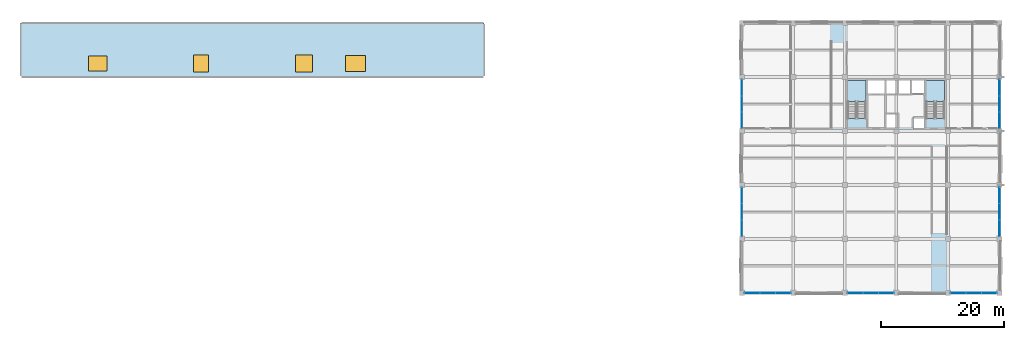
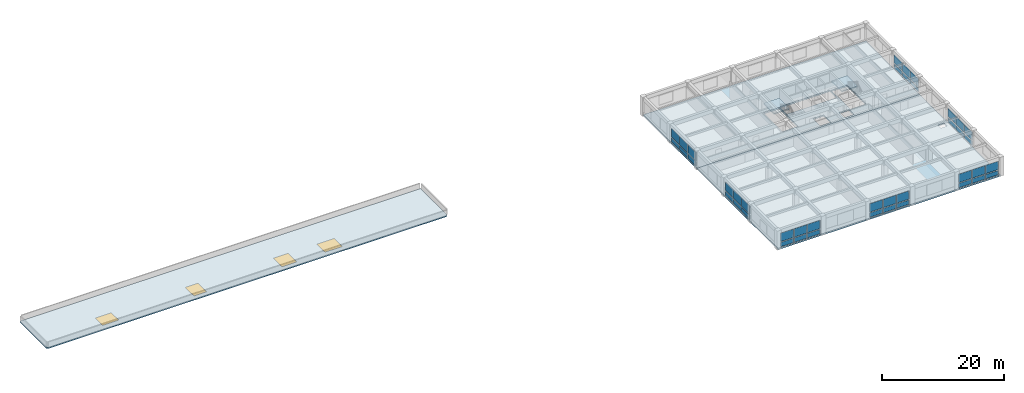
# One storey, part 7 of 16: 42 plates, 5 slabs, 4 windows, 4 openings, 9 elements without a shape of their own.
"""IFC4 building model written with IfcOpenShell, lengths in metres."""

import ifcopenshell
import ifcopenshell.guid

model = None  # the IFC model being written
_history = None  # IfcOwnerHistory: only IFC2X3 demands one
_inside = {}  # id of a spatial element -> (the spatial element, [elements in it])
_under = {}  # id of a project, library or spatial element -> (it, [spatial elements below it])
_declared = {}  # id of a project -> (the project, [libraries it declares])
_typed = {}  # id of a type object -> (the type object, [elements of that type])
_made_of = {}  # id of a material, layer set ... -> (it, [elements and type objects made of it])


def new_model(schema):
    """Start an empty IFC model of exactly this schema.

    Asked for "IFC4X3", IfcOpenShell would pick the latest addendum, in which some entities
    have other attributes; the version numbers below select the first issue.
    IFC2X3 requires an IfcOwnerHistory on every rooted entity: one is made here for all.
    """
    global model, _history
    if schema == "IFC4X3":
        model = ifcopenshell.file(schema_version=(4, 3, 0, 0))
    else:
        model = ifcopenshell.file(schema=schema)
    _inside.clear()
    _under.clear()
    _declared.clear()
    _typed.clear()
    _made_of.clear()
    _history = None
    if model.schema == "IFC2X3":
        org = make("IfcOrganization", Name="unknown")
        user = make(
            "IfcPersonAndOrganization",
            ThePerson=make("IfcPerson", FamilyName="unknown"),
            TheOrganization=org,
        )
        app = make(
            "IfcApplication",
            ApplicationDeveloper=org,
            Version="unknown",
            ApplicationFullName="unknown",
            ApplicationIdentifier="unknown",
        )
        _history = make(
            "IfcOwnerHistory",
            OwningUser=user,
            OwningApplication=app,
            ChangeAction="ADDED",
            CreationDate=0,
        )
    return model


def make(cls, **values):
    """One entity of the class cls with the attributes given. An attribute that is None is left unset."""
    return model.create_entity(
        cls, **{name: value for name, value in values.items() if value is not None}
    )


def rooted(cls, **values):
    """An entity with a GlobalId (a new one), such as an element, a storey or a relation."""
    return make(cls, GlobalId=ifcopenshell.guid.new(), OwnerHistory=_history, **values)


def si_unit(unit_type, name, prefix=None):
    """IfcSIUnit, for example si_unit("LENGTHUNIT", "METRE", prefix="MILLI")."""
    return make("IfcSIUnit", UnitType=unit_type, Prefix=prefix, Name=name)


def assignment(units):
    """IfcUnitAssignment: the units of a project."""
    return None if units is None else make("IfcUnitAssignment", Units=units)


def point(xyz):
    """IfcCartesianPoint."""
    return None if xyz is None else make("IfcCartesianPoint", Coordinates=xyz)


def direction(xyz):
    """IfcDirection."""
    return None if xyz is None else make("IfcDirection", DirectionRatios=xyz)


def frame(location, z_axis=None, x_axis=None):
    """IfcAxis2Placement3D, a coordinate frame: its origin and axes. An axis left out is left unset."""
    return make(
        "IfcAxis2Placement3D",
        Location=point(location),
        Axis=direction(z_axis),
        RefDirection=direction(x_axis),
    )


def frame_2d(location, x_axis=None):
    """IfcAxis2Placement2D, a coordinate frame in the plane: its origin and x axis."""
    return make(
        "IfcAxis2Placement2D", Location=point(location), RefDirection=direction(x_axis)
    )


def origin():
    """The frame at (0, 0, 0) with its axes left unset."""
    return frame((0.0, 0.0, 0.0))


def origin_2d():
    """The frame at (0, 0) in the plane with its x axis left unset."""
    return frame_2d((0.0, 0.0))


def place(relative_to, where):
    """IfcLocalPlacement: puts the frame where relative to a parent placement (None: the world)."""
    return make(
        "IfcLocalPlacement", PlacementRelTo=relative_to, RelativePlacement=where
    )


def context(
    kind, dimensions, precision=None, world=None, true_north=None, identifier=None
):
    """IfcGeometricRepresentationContext, for example the 3D "Model" context."""
    return make(
        "IfcGeometricRepresentationContext",
        ContextIdentifier=identifier,
        ContextType=kind,
        CoordinateSpaceDimension=dimensions,
        Precision=precision,
        WorldCoordinateSystem=world,
        TrueNorth=true_north,
    )


def subcontext(parent, identifier, kind, view, scale=None):
    """IfcGeometricRepresentationSubContext, for example "Body" below "Model"."""
    return make(
        "IfcGeometricRepresentationSubContext",
        ContextIdentifier=identifier,
        ContextType=kind,
        ParentContext=parent,
        TargetScale=scale,
        TargetView=view,
    )


def project(units=None, contexts=None):
    """IfcProject with its units and contexts."""
    return rooted(
        "IfcProject",
        Name="project",
        RepresentationContexts=contexts,
        UnitsInContext=assignment(units),
    )


def spatial(cls, under=None, at=None, **own):
    """A site, building, storey or space (cls), placed at a placement, below another one or the project."""
    s = rooted(cls, ObjectPlacement=at, **own)
    if under is not None:
        _under.setdefault(under.id(), (under, []))[1].append(s)
    return s


def polyline(points):
    """IfcPolyline through the points."""
    return make("IfcPolyline", Points=[point(p) for p in points])


def profile(cls, at=None, kind="AREA", **sizes):
    """A parametric profile (cls). Its sizes go by their IFC names, for example OverallWidth=200.0."""
    return make(cls, ProfileType=kind, Position=at, **sizes)


def rectangle(**sizes):
    """IfcRectangleProfileDef."""
    return profile("IfcRectangleProfileDef", **sizes)


def outline(outer, holes=None, kind="AREA"):
    """IfcArbitraryClosedProfileDef: a profile drawn as a closed curve; with holes, ...WithVoids."""
    if holes is None:
        return make("IfcArbitraryClosedProfileDef", ProfileType=kind, OuterCurve=outer)
    return make(
        "IfcArbitraryProfileDefWithVoids",
        ProfileType=kind,
        OuterCurve=outer,
        InnerCurves=holes,
    )


def extrude(swept, where, along, depth):
    """IfcExtrudedAreaSolid: the profile swept, set in the frame where, extruded along a direction by depth."""
    return make(
        "IfcExtrudedAreaSolid",
        SweptArea=swept,
        Position=where,
        ExtrudedDirection=direction(along),
        Depth=depth,
    )


def shape(context_of_items, identifier, shape_type, items):
    """IfcShapeRepresentation: the items that make up one representation, for example the "Body"."""
    return make(
        "IfcShapeRepresentation",
        ContextOfItems=context_of_items,
        RepresentationIdentifier=identifier,
        RepresentationType=shape_type,
        Items=items,
    )


def material(Name=None, Category=None):
    """IfcMaterial."""
    return make("IfcMaterial", Name=Name, Category=Category)


def layer(
    of_material, thickness, ventilated=None, Name=None, Category=None, Priority=None
):
    """IfcMaterialLayer: one layer of a wall or slab, of a material (None: an air gap)."""
    return make(
        "IfcMaterialLayer",
        Material=of_material,
        LayerThickness=thickness,
        IsVentilated=ventilated,
        Name=Name,
        Category=Category,
        Priority=Priority,
    )


def layer_set(layers, Name=None):
    """IfcMaterialLayerSet."""
    return make("IfcMaterialLayerSet", MaterialLayers=layers, LayerSetName=Name)


def made_of(thing, what):
    """Note that an element or type object is made of a material, layer set ...; save() writes the relation."""
    if what is not None:
        _made_of.setdefault(what.id(), (what, []))[1].append(thing)
    return thing


def type_object(cls, material=None, **own):
    """A type object (cls), such as IfcWallType, which elements share."""
    return made_of(rooted(cls, **own), material)


def element(
    cls,
    number,
    at=None,
    inside=None,
    cuts=None,
    type_object=None,
    material=None,
    context=None,
    identifier="Body",
    shape_type=None,
    held_by="IfcProductDefinitionShape",
    body=None,
    shapes=None,
    **own,
):
    """One element of the class cls, such as IfcWall. Its Tag is "e" and its number.

    at: its placement. inside: the storey or other place that contains it. cuts: it is an
    opening in that element (IfcRelVoidsElement). A single representation is given by context,
    identifier, shape_type and body (its items); several are given by shapes. held_by: the class
    of the entity that holds the representations. save() writes the other relations.
    """
    e = rooted(cls, Tag="e%d" % number, ObjectPlacement=at, **own)
    if body is not None:
        shapes = [shape(context, identifier, shape_type, body)]
    if shapes is not None:
        e.Representation = make(held_by, Representations=shapes)
    if inside is not None:
        _inside.setdefault(inside.id(), (inside, []))[1].append(e)
    if cuts is not None:
        rooted(
            "IfcRelVoidsElement", RelatingBuildingElement=cuts, RelatedOpeningElement=e
        )
    if type_object is not None:
        _typed.setdefault(type_object.id(), (type_object, []))[1].append(e)
    return made_of(e, material)


def fill(opening, filler):
    """IfcRelFillsElement: the door or window that sits in an opening."""
    return rooted(
        "IfcRelFillsElement",
        RelatingOpeningElement=opening,
        RelatedBuildingElement=filler,
    )


def aggregate(whole, parts):
    """IfcRelAggregates: a whole, such as a stair, and the parts it consists of."""
    return rooted("IfcRelAggregates", RelatingObject=whole, RelatedObjects=parts)


def save(model, path):
    """Write the relations noted so far, then the file.

    IfcRelAggregates (storeys below a building ...), IfcRelContainedInSpatialStructure (elements
    in a storey), IfcRelDefinesByType, IfcRelAssociatesMaterial and IfcRelDeclares: one each for
    every whole, place, type object, material and project.
    """
    for whole, parts in _under.values():
        aggregate(whole, parts)
    for where, things in _inside.values():
        rooted(
            "IfcRelContainedInSpatialStructure",
            RelatedElements=things,
            RelatingStructure=where,
        )
    for kind, things in _typed.values():
        rooted("IfcRelDefinesByType", RelatedObjects=things, RelatingType=kind)
    for what, things in _made_of.values():
        rooted("IfcRelAssociatesMaterial", RelatedObjects=things, RelatingMaterial=what)
    for by, libraries in _declared.values():
        rooted("IfcRelDeclares", RelatingContext=by, RelatedDefinitions=libraries)
    model.write(path)


model = new_model("IFC4")

# Units and contexts
model_context = context("Model", 3, precision=1e-05, world=origin(), true_north=direction((0.0, 1.0)))
body_context = subcontext(model_context, "Body", "Model", "MODEL_VIEW")
ifc_project = project(units=[si_unit("LENGTHUNIT", "METRE"), si_unit("AREAUNIT", "SQUARE_METRE"), si_unit("VOLUMEUNIT", "CUBIC_METRE"), si_unit("PLANEANGLEUNIT", "RADIAN"), si_unit("MASSUNIT", "GRAM", prefix="KILO")], contexts=[model_context])

# Site, building, storey
site_placement = place(None, origin())
site = spatial("IfcSite", under=ifc_project, at=site_placement, CompositionType="ELEMENT")
building_placement = place(site_placement, origin())
building = spatial("IfcBuilding", under=site, at=building_placement, Name="Kemercrest Conservatory and Botanical Centre", CompositionType="ELEMENT")
storey_placement = place(building_placement, frame((0.0, 0.0, 17.199951171875)))
storey = spatial("IfcBuildingStorey", under=building, at=storey_placement, Name="L04", CompositionType="ELEMENT", Elevation=17.199951171875)

# Curtain wall, plates
ifc_material_1 = material(Name="Thermally broken aluminium and triple low-e glazing", Category="aluminium")
curtain_wall_type_1 = type_object("IfcCurtainWallType", Name="CW-09", PredefinedType="USERDEFINED", material=ifc_material_1)
curtain_wall_1_placement = place(storey_placement, origin())
curtain_wall_1 = element("IfcCurtainWall", 1, at=curtain_wall_1_placement, inside=storey, type_object=curtain_wall_type_1, Name="Unitised curtain wall CW-09 (CW:L04:V4-068)", ObjectType="UNITISED CURTAIN WALL", PredefinedType="USERDEFINED")
ifc_material_2 = material(Name="Triple low-e argon insulated glazing unit", Category="glass")
ifc_layer_1 = layer(ifc_material_2, 0.035888671875)
ifc_layer_set_1 = layer_set([ifc_layer_1], Name="Triple low-e argon insulated glazing unit")
plate_type = type_object("IfcPlateType", Name="CW-PNL036", PredefinedType="CURTAIN_PANEL", material=ifc_layer_set_1)
plate_1_placement = place(storey_placement, frame((135.6796875, 78.39990234375, 0.179931640625), z_axis=(0.0, 0.0, 1.0), x_axis=(1.0, 0.0, 0.0)))
plate_1 = element("IfcPlate", 2, at=plate_1_placement, type_object=plate_type, Name="CW-09 panel 1.1", PredefinedType="CURTAIN_PANEL", context=body_context, shape_type="SweptSolid", body=[
    extrude(rectangle(XDim=2.439208984375, YDim=0.035888671875, at=origin_2d()), origin(), (0.0, 0.0, 1.0), 0.85009765625),
])
plate_2_placement = place(storey_placement, frame((135.6796875, 78.39990234375, 1.2099609375), z_axis=(0.0, 0.0, 1.0), x_axis=(1.0, 0.0, 0.0)))
plate_2 = element("IfcPlate", 3, at=plate_2_placement, type_object=plate_type, Name="CW-09 panel 1.2", PredefinedType="CURTAIN_PANEL", context=body_context, shape_type="SweptSolid", body=[
    extrude(rectangle(XDim=2.439208984375, YDim=0.035888671875, at=origin_2d()), origin(), (0.0, 0.0, 1.0), 1.6650390625),
])
plate_3_placement = place(storey_placement, frame((138.199951171875, 78.39990234375, 0.179931640625), z_axis=(0.0, 0.0, 1.0), x_axis=(1.0, 0.0, 0.0)))
plate_3 = element("IfcPlate", 4, at=plate_3_placement, type_object=plate_type, Name="CW-09 panel 2.1", PredefinedType="CURTAIN_PANEL", context=body_context, shape_type="SweptSolid", body=[
    extrude(rectangle(XDim=2.4716796875, YDim=0.035888671875, at=origin_2d()), origin(), (0.0, 0.0, 1.0), 0.85009765625),
])
plate_4_placement = place(storey_placement, frame((138.199951171875, 78.39990234375, 1.2099609375), z_axis=(0.0, 0.0, 1.0), x_axis=(1.0, 0.0, 0.0)))
plate_4 = element("IfcPlate", 5, at=plate_4_placement, type_object=plate_type, Name="CW-09 panel 2.2", PredefinedType="CURTAIN_PANEL", context=body_context, shape_type="SweptSolid", body=[
    extrude(rectangle(XDim=2.4716796875, YDim=0.035888671875, at=origin_2d()), origin(), (0.0, 0.0, 1.0), 1.6650390625),
])
plate_5_placement = place(storey_placement, frame((140.720458984375, 78.39990234375, 0.179931640625), z_axis=(0.0, 0.0, 1.0), x_axis=(1.0, 0.0, 0.0)))
plate_5 = element("IfcPlate", 6, at=plate_5_placement, type_object=plate_type, Name="CW-09 panel 3.1", PredefinedType="CURTAIN_PANEL", context=body_context, shape_type="SweptSolid", body=[
    extrude(rectangle(XDim=2.439208984375, YDim=0.035888671875, at=origin_2d()), origin(), (0.0, 0.0, 1.0), 0.85009765625),
])
plate_6_placement = place(storey_placement, frame((140.720458984375, 78.39990234375, 1.2099609375), z_axis=(0.0, 0.0, 1.0), x_axis=(1.0, 0.0, 0.0)))
plate_6 = element("IfcPlate", 7, at=plate_6_placement, type_object=plate_type, Name="CW-09 panel 3.2", PredefinedType="CURTAIN_PANEL", context=body_context, shape_type="SweptSolid", body=[
    extrude(rectangle(XDim=2.439208984375, YDim=0.035888671875, at=origin_2d()), origin(), (0.0, 0.0, 1.0), 1.6650390625),
])
aggregate(curtain_wall_1, [plate_1, plate_2, plate_3, plate_4, plate_5, plate_6])

curtain_wall_type_2 = type_object("IfcCurtainWallType", Name="CW-10", PredefinedType="USERDEFINED", material=ifc_material_1)
curtain_wall_2_placement = place(storey_placement, origin())
curtain_wall_2 = element("IfcCurtainWall", 8, at=curtain_wall_2_placement, inside=storey, type_object=curtain_wall_type_2, Name="Unitised curtain wall CW-10 (CW:L04:V4-069)", ObjectType="UNITISED CURTAIN WALL", PredefinedType="USERDEFINED")
plate_7_placement = place(storey_placement, frame((152.4794921875, 78.39990234375, 0.179931640625), z_axis=(0.0, 0.0, 1.0), x_axis=(1.0, 0.0, 0.0)))
plate_7 = element("IfcPlate", 9, at=plate_7_placement, type_object=plate_type, Name="CW-10 panel 1.1", PredefinedType="CURTAIN_PANEL", context=body_context, shape_type="SweptSolid", body=[
    extrude(rectangle(XDim=2.439208984375, YDim=0.035888671875, at=origin_2d()), origin(), (0.0, 0.0, 1.0), 0.85009765625),
])
plate_8_placement = place(storey_placement, frame((152.4794921875, 78.39990234375, 1.2099609375), z_axis=(0.0, 0.0, 1.0), x_axis=(1.0, 0.0, 0.0)))
plate_8 = element("IfcPlate", 10, at=plate_8_placement, type_object=plate_type, Name="CW-10 panel 1.2", PredefinedType="CURTAIN_PANEL", context=body_context, shape_type="SweptSolid", body=[
    extrude(rectangle(XDim=2.439208984375, YDim=0.035888671875, at=origin_2d()), origin(), (0.0, 0.0, 1.0), 1.6650390625),
])
plate_9_placement = place(storey_placement, frame((155.0, 78.39990234375, 0.179931640625), z_axis=(0.0, 0.0, 1.0), x_axis=(1.0, 0.0, 0.0)))
plate_9 = element("IfcPlate", 11, at=plate_9_placement, type_object=plate_type, Name="CW-10 panel 2.1", PredefinedType="CURTAIN_PANEL", context=body_context, shape_type="SweptSolid", body=[
    extrude(rectangle(XDim=2.4716796875, YDim=0.035888671875, at=origin_2d()), origin(), (0.0, 0.0, 1.0), 0.85009765625),
])
plate_10_placement = place(storey_placement, frame((155.0, 78.39990234375, 1.2099609375), z_axis=(0.0, 0.0, 1.0), x_axis=(1.0, 0.0, 0.0)))
plate_10 = element("IfcPlate", 12, at=plate_10_placement, type_object=plate_type, Name="CW-10 panel 2.2", PredefinedType="CURTAIN_PANEL", context=body_context, shape_type="SweptSolid", body=[
    extrude(rectangle(XDim=2.4716796875, YDim=0.035888671875, at=origin_2d()), origin(), (0.0, 0.0, 1.0), 1.6650390625),
])
plate_11_placement = place(storey_placement, frame((157.5205078125, 78.39990234375, 0.179931640625), z_axis=(0.0, 0.0, 1.0), x_axis=(1.0, 0.0, 0.0)))
plate_11 = element("IfcPlate", 13, at=plate_11_placement, type_object=plate_type, Name="CW-10 panel 3.1", PredefinedType="CURTAIN_PANEL", context=body_context, shape_type="SweptSolid", body=[
    extrude(rectangle(XDim=2.439208984375, YDim=0.035888671875, at=origin_2d()), origin(), (0.0, 0.0, 1.0), 0.85009765625),
])
plate_12_placement = place(storey_placement, frame((157.5205078125, 78.39990234375, 1.2099609375), z_axis=(0.0, 0.0, 1.0), x_axis=(1.0, 0.0, 0.0)))
plate_12 = element("IfcPlate", 14, at=plate_12_placement, type_object=plate_type, Name="CW-10 panel 3.2", PredefinedType="CURTAIN_PANEL", context=body_context, shape_type="SweptSolid", body=[
    extrude(rectangle(XDim=2.439208984375, YDim=0.035888671875, at=origin_2d()), origin(), (0.0, 0.0, 1.0), 1.6650390625),
])
aggregate(curtain_wall_2, [plate_7, plate_8, plate_9, plate_10, plate_11, plate_12])

curtain_wall_type_3 = type_object("IfcCurtainWallType", Name="CW-11", PredefinedType="USERDEFINED", material=ifc_material_1)
curtain_wall_3_placement = place(storey_placement, origin())
curtain_wall_3 = element("IfcCurtainWall", 15, at=curtain_wall_3_placement, inside=storey, type_object=curtain_wall_type_3, Name="Unitised curtain wall CW-11 (CW:L04:V4-070)", ObjectType="UNITISED CURTAIN WALL", PredefinedType="USERDEFINED")
plate_13_placement = place(storey_placement, frame((169.279541015625, 78.39990234375, 0.179931640625), z_axis=(0.0, 0.0, 1.0), x_axis=(1.0, 0.0, 0.0)))
plate_13 = element("IfcPlate", 16, at=plate_13_placement, type_object=plate_type, Name="CW-11 panel 1.1", PredefinedType="CURTAIN_PANEL", context=body_context, shape_type="SweptSolid", body=[
    extrude(rectangle(XDim=2.439208984375, YDim=0.035888671875, at=origin_2d()), origin(), (0.0, 0.0, 1.0), 0.85009765625),
])
plate_14_placement = place(storey_placement, frame((169.279541015625, 78.39990234375, 1.2099609375), z_axis=(0.0, 0.0, 1.0), x_axis=(1.0, 0.0, 0.0)))
plate_14 = element("IfcPlate", 17, at=plate_14_placement, type_object=plate_type, Name="CW-11 panel 1.2", PredefinedType="CURTAIN_PANEL", context=body_context, shape_type="SweptSolid", body=[
    extrude(rectangle(XDim=2.439208984375, YDim=0.035888671875, at=origin_2d()), origin(), (0.0, 0.0, 1.0), 1.6650390625),
])
plate_15_placement = place(storey_placement, frame((171.800048828125, 78.39990234375, 0.179931640625), z_axis=(0.0, 0.0, 1.0), x_axis=(1.0, 0.0, 0.0)))
plate_15 = element("IfcPlate", 18, at=plate_15_placement, type_object=plate_type, Name="CW-11 panel 2.1", PredefinedType="CURTAIN_PANEL", context=body_context, shape_type="SweptSolid", body=[
    extrude(rectangle(XDim=2.4716796875, YDim=0.035888671875, at=origin_2d()), origin(), (0.0, 0.0, 1.0), 0.85009765625),
])
plate_16_placement = place(storey_placement, frame((171.800048828125, 78.39990234375, 1.2099609375), z_axis=(0.0, 0.0, 1.0), x_axis=(1.0, 0.0, 0.0)))
plate_16 = element("IfcPlate", 19, at=plate_16_placement, type_object=plate_type, Name="CW-11 panel 2.2", PredefinedType="CURTAIN_PANEL", context=body_context, shape_type="SweptSolid", body=[
    extrude(rectangle(XDim=2.4716796875, YDim=0.035888671875, at=origin_2d()), origin(), (0.0, 0.0, 1.0), 1.6650390625),
])
plate_17_placement = place(storey_placement, frame((174.3203125, 78.39990234375, 0.179931640625), z_axis=(0.0, 0.0, 1.0), x_axis=(1.0, 0.0, 0.0)))
plate_17 = element("IfcPlate", 20, at=plate_17_placement, type_object=plate_type, Name="CW-11 panel 3.1", PredefinedType="CURTAIN_PANEL", context=body_context, shape_type="SweptSolid", body=[
    extrude(rectangle(XDim=2.439208984375, YDim=0.035888671875, at=origin_2d()), origin(), (0.0, 0.0, 1.0), 0.85009765625),
])
plate_18_placement = place(storey_placement, frame((174.3203125, 78.39990234375, 1.2099609375), z_axis=(0.0, 0.0, 1.0), x_axis=(1.0, 0.0, 0.0)))
plate_18 = element("IfcPlate", 21, at=plate_18_placement, type_object=plate_type, Name="CW-11 panel 3.2", PredefinedType="CURTAIN_PANEL", context=body_context, shape_type="SweptSolid", body=[
    extrude(rectangle(XDim=2.439208984375, YDim=0.035888671875, at=origin_2d()), origin(), (0.0, 0.0, 1.0), 1.6650390625),
])
aggregate(curtain_wall_3, [plate_13, plate_14, plate_15, plate_16, plate_17, plate_18])

curtain_wall_type_4 = type_object("IfcCurtainWallType", Name="CW-12", PredefinedType="USERDEFINED", material=ifc_material_1)
curtain_wall_4_placement = place(storey_placement, origin())
curtain_wall_4 = element("IfcCurtainWall", 22, at=curtain_wall_4_placement, inside=storey, type_object=curtain_wall_type_4, Name="Unitised curtain wall CW-12 (CW:L04:V4-071)", ObjectType="UNITISED CURTAIN WALL", PredefinedType="USERDEFINED")
plate_19_placement = place(storey_placement, frame((176.0, 88.9462890625, 0.179931640625), z_axis=(0.0, 0.0, 1.0), x_axis=(0.0, 1.0, 0.0)))
plate_19 = element("IfcPlate", 23, at=plate_19_placement, type_object=plate_type, Name="CW-12 panel 1.1", PredefinedType="CURTAIN_PANEL", context=body_context, shape_type="SweptSolid", body=[
    extrude(rectangle(XDim=2.572509765625, YDim=0.035888671875, at=origin_2d()), origin(), (0.0, 0.0, 1.0), 0.85009765625),
])
plate_20_placement = place(storey_placement, frame((176.0, 88.9462890625, 1.2099609375), z_axis=(0.0, 0.0, 1.0), x_axis=(0.0, 1.0, 0.0)))
plate_20 = element("IfcPlate", 24, at=plate_20_placement, type_object=plate_type, Name="CW-12 panel 1.2", PredefinedType="CURTAIN_PANEL", context=body_context, shape_type="SweptSolid", body=[
    extrude(rectangle(XDim=2.572509765625, YDim=0.035888671875, at=origin_2d()), origin(), (0.0, 0.0, 1.0), 1.6650390625),
])
plate_21_placement = place(storey_placement, frame((176.0, 91.60009765625, 0.179931640625), z_axis=(0.0, 0.0, 1.0), x_axis=(0.0, 1.0, 0.0)))
plate_21 = element("IfcPlate", 25, at=plate_21_placement, type_object=plate_type, Name="CW-12 panel 2.1", PredefinedType="CURTAIN_PANEL", context=body_context, shape_type="SweptSolid", body=[
    extrude(rectangle(XDim=2.60498046875, YDim=0.035888671875, at=origin_2d()), origin(), (0.0, 0.0, 1.0), 0.85009765625),
])
plate_22_placement = place(storey_placement, frame((176.0, 91.60009765625, 1.2099609375), z_axis=(0.0, 0.0, 1.0), x_axis=(0.0, 1.0, 0.0)))
plate_22 = element("IfcPlate", 26, at=plate_22_placement, type_object=plate_type, Name="CW-12 panel 2.2", PredefinedType="CURTAIN_PANEL", context=body_context, shape_type="SweptSolid", body=[
    extrude(rectangle(XDim=2.60498046875, YDim=0.035888671875, at=origin_2d()), origin(), (0.0, 0.0, 1.0), 1.6650390625),
])
plate_23_placement = place(storey_placement, frame((176.0, 94.253662109375, 0.179931640625), z_axis=(0.0, 0.0, 1.0), x_axis=(0.0, 1.0, 0.0)))
plate_23 = element("IfcPlate", 27, at=plate_23_placement, type_object=plate_type, Name="CW-12 panel 3.1", PredefinedType="CURTAIN_PANEL", context=body_context, shape_type="SweptSolid", body=[
    extrude(rectangle(XDim=2.572509765625, YDim=0.035888671875, at=origin_2d()), origin(), (0.0, 0.0, 1.0), 0.85009765625),
])
plate_24_placement = place(storey_placement, frame((176.0, 94.253662109375, 1.2099609375), z_axis=(0.0, 0.0, 1.0), x_axis=(0.0, 1.0, 0.0)))
plate_24 = element("IfcPlate", 28, at=plate_24_placement, type_object=plate_type, Name="CW-12 panel 3.2", PredefinedType="CURTAIN_PANEL", context=body_context, shape_type="SweptSolid", body=[
    extrude(rectangle(XDim=2.572509765625, YDim=0.035888671875, at=origin_2d()), origin(), (0.0, 0.0, 1.0), 1.6650390625),
])
aggregate(curtain_wall_4, [plate_19, plate_20, plate_21, plate_22, plate_23, plate_24])

curtain_wall_type_5 = type_object("IfcCurtainWallType", Name="CW-13", PredefinedType="USERDEFINED", material=ifc_material_1)
curtain_wall_5_placement = place(storey_placement, origin())
curtain_wall_5 = element("IfcCurtainWall", 29, at=curtain_wall_5_placement, inside=storey, type_object=curtain_wall_type_5, Name="Unitised curtain wall CW-13 (CW:L04:V4-072)", ObjectType="UNITISED CURTAIN WALL", PredefinedType="USERDEFINED")
plate_25_placement = place(storey_placement, frame((176.0, 106.546142578125, 0.179931640625), z_axis=(0.0, 0.0, 1.0), x_axis=(0.0, 1.0, 0.0)))
plate_25 = element("IfcPlate", 30, at=plate_25_placement, type_object=plate_type, Name="CW-13 panel 1.1", PredefinedType="CURTAIN_PANEL", context=body_context, shape_type="SweptSolid", body=[
    extrude(rectangle(XDim=2.572509765625, YDim=0.035888671875, at=origin_2d()), origin(), (0.0, 0.0, 1.0), 0.85009765625),
])
plate_26_placement = place(storey_placement, frame((176.0, 106.546142578125, 1.2099609375), z_axis=(0.0, 0.0, 1.0), x_axis=(0.0, 1.0, 0.0)))
plate_26 = element("IfcPlate", 31, at=plate_26_placement, type_object=plate_type, Name="CW-13 panel 1.2", PredefinedType="CURTAIN_PANEL", context=body_context, shape_type="SweptSolid", body=[
    extrude(rectangle(XDim=2.572509765625, YDim=0.035888671875, at=origin_2d()), origin(), (0.0, 0.0, 1.0), 1.6650390625),
])
plate_27_placement = place(storey_placement, frame((176.0, 109.199951171875, 0.179931640625), z_axis=(0.0, 0.0, 1.0), x_axis=(0.0, 1.0, 0.0)))
plate_27 = element("IfcPlate", 32, at=plate_27_placement, type_object=plate_type, Name="CW-13 panel 2.1", PredefinedType="CURTAIN_PANEL", context=body_context, shape_type="SweptSolid", body=[
    extrude(rectangle(XDim=2.60498046875, YDim=0.035888671875, at=origin_2d()), origin(), (0.0, 0.0, 1.0), 0.85009765625),
])
plate_28_placement = place(storey_placement, frame((176.0, 109.199951171875, 1.2099609375), z_axis=(0.0, 0.0, 1.0), x_axis=(0.0, 1.0, 0.0)))
plate_28 = element("IfcPlate", 33, at=plate_28_placement, type_object=plate_type, Name="CW-13 panel 2.2", PredefinedType="CURTAIN_PANEL", context=body_context, shape_type="SweptSolid", body=[
    extrude(rectangle(XDim=2.60498046875, YDim=0.035888671875, at=origin_2d()), origin(), (0.0, 0.0, 1.0), 1.6650390625),
])
plate_29_placement = place(storey_placement, frame((176.0, 111.853759765625, 0.179931640625), z_axis=(0.0, 0.0, 1.0), x_axis=(0.0, 1.0, 0.0)))
plate_29 = element("IfcPlate", 34, at=plate_29_placement, type_object=plate_type, Name="CW-13 panel 3.1", PredefinedType="CURTAIN_PANEL", context=body_context, shape_type="SweptSolid", body=[
    extrude(rectangle(XDim=2.572509765625, YDim=0.035888671875, at=origin_2d()), origin(), (0.0, 0.0, 1.0), 0.85009765625),
])
plate_30_placement = place(storey_placement, frame((176.0, 111.853759765625, 1.2099609375), z_axis=(0.0, 0.0, 1.0), x_axis=(0.0, 1.0, 0.0)))
plate_30 = element("IfcPlate", 35, at=plate_30_placement, type_object=plate_type, Name="CW-13 panel 3.2", PredefinedType="CURTAIN_PANEL", context=body_context, shape_type="SweptSolid", body=[
    extrude(rectangle(XDim=2.572509765625, YDim=0.035888671875, at=origin_2d()), origin(), (0.0, 0.0, 1.0), 1.6650390625),
])
aggregate(curtain_wall_5, [plate_25, plate_26, plate_27, plate_28, plate_29, plate_30])

curtain_wall_type_6 = type_object("IfcCurtainWallType", Name="CW-14", PredefinedType="USERDEFINED", material=ifc_material_1)
curtain_wall_6_placement = place(storey_placement, origin())
curtain_wall_6 = element("IfcCurtainWall", 36, at=curtain_wall_6_placement, inside=storey, type_object=curtain_wall_type_6, Name="Unitised curtain wall CW-14 (CW:L04:V4-073)", ObjectType="UNITISED CURTAIN WALL", PredefinedType="USERDEFINED")
plate_31_placement = place(storey_placement, frame((134.0, 111.853759765625, 0.179931640625), z_axis=(0.0, 0.0, 1.0), x_axis=(0.0, -1.0, 0.0)))
plate_31 = element("IfcPlate", 37, at=plate_31_placement, type_object=plate_type, Name="CW-14 panel 1.1", PredefinedType="CURTAIN_PANEL", context=body_context, shape_type="SweptSolid", body=[
    extrude(rectangle(XDim=2.572509765625, YDim=0.035888671875, at=origin_2d()), origin(), (0.0, 0.0, 1.0), 0.85009765625),
])
plate_32_placement = place(storey_placement, frame((134.0, 111.853759765625, 1.2099609375), z_axis=(0.0, 0.0, 1.0), x_axis=(0.0, -1.0, 0.0)))
plate_32 = element("IfcPlate", 38, at=plate_32_placement, type_object=plate_type, Name="CW-14 panel 1.2", PredefinedType="CURTAIN_PANEL", context=body_context, shape_type="SweptSolid", body=[
    extrude(rectangle(XDim=2.572509765625, YDim=0.035888671875, at=origin_2d()), origin(), (0.0, 0.0, 1.0), 1.6650390625),
])
plate_33_placement = place(storey_placement, frame((134.0, 109.199951171875, 0.179931640625), z_axis=(0.0, 0.0, 1.0), x_axis=(0.0, -1.0, 0.0)))
plate_33 = element("IfcPlate", 39, at=plate_33_placement, type_object=plate_type, Name="CW-14 panel 2.1", PredefinedType="CURTAIN_PANEL", context=body_context, shape_type="SweptSolid", body=[
    extrude(rectangle(XDim=2.60498046875, YDim=0.035888671875, at=origin_2d()), origin(), (0.0, 0.0, 1.0), 0.85009765625),
])
plate_34_placement = place(storey_placement, frame((134.0, 109.199951171875, 1.2099609375), z_axis=(0.0, 0.0, 1.0), x_axis=(0.0, -1.0, 0.0)))
plate_34 = element("IfcPlate", 40, at=plate_34_placement, type_object=plate_type, Name="CW-14 panel 2.2", PredefinedType="CURTAIN_PANEL", context=body_context, shape_type="SweptSolid", body=[
    extrude(rectangle(XDim=2.60498046875, YDim=0.035888671875, at=origin_2d()), origin(), (0.0, 0.0, 1.0), 1.6650390625),
])
plate_35_placement = place(storey_placement, frame((134.0, 106.546142578125, 0.179931640625), z_axis=(0.0, 0.0, 1.0), x_axis=(0.0, -1.0, 0.0)))
plate_35 = element("IfcPlate", 41, at=plate_35_placement, type_object=plate_type, Name="CW-14 panel 3.1", PredefinedType="CURTAIN_PANEL", context=body_context, shape_type="SweptSolid", body=[
    extrude(rectangle(XDim=2.572509765625, YDim=0.035888671875, at=origin_2d()), origin(), (0.0, 0.0, 1.0), 0.85009765625),
])
plate_36_placement = place(storey_placement, frame((134.0, 106.546142578125, 1.2099609375), z_axis=(0.0, 0.0, 1.0), x_axis=(0.0, -1.0, 0.0)))
plate_36 = element("IfcPlate", 42, at=plate_36_placement, type_object=plate_type, Name="CW-14 panel 3.2", PredefinedType="CURTAIN_PANEL", context=body_context, shape_type="SweptSolid", body=[
    extrude(rectangle(XDim=2.572509765625, YDim=0.035888671875, at=origin_2d()), origin(), (0.0, 0.0, 1.0), 1.6650390625),
])
aggregate(curtain_wall_6, [plate_31, plate_32, plate_33, plate_34, plate_35, plate_36])

curtain_wall_type_7 = type_object("IfcCurtainWallType", Name="CW-15", PredefinedType="USERDEFINED", material=ifc_material_1)
curtain_wall_7_placement = place(storey_placement, origin())
curtain_wall_7 = element("IfcCurtainWall", 43, at=curtain_wall_7_placement, inside=storey, type_object=curtain_wall_type_7, Name="Unitised curtain wall CW-15 (CW:L04:V4-074)", ObjectType="UNITISED CURTAIN WALL", PredefinedType="USERDEFINED")
plate_37_placement = place(storey_placement, frame((134.0, 94.253662109375, 0.179931640625), z_axis=(0.0, 0.0, 1.0), x_axis=(0.0, -1.0, 0.0)))
plate_37 = element("IfcPlate", 44, at=plate_37_placement, type_object=plate_type, Name="CW-15 panel 1.1", PredefinedType="CURTAIN_PANEL", context=body_context, shape_type="SweptSolid", body=[
    extrude(rectangle(XDim=2.572509765625, YDim=0.035888671875, at=origin_2d()), origin(), (0.0, 0.0, 1.0), 0.85009765625),
])
plate_38_placement = place(storey_placement, frame((134.0, 94.253662109375, 1.2099609375), z_axis=(0.0, 0.0, 1.0), x_axis=(0.0, -1.0, 0.0)))
plate_38 = element("IfcPlate", 45, at=plate_38_placement, type_object=plate_type, Name="CW-15 panel 1.2", PredefinedType="CURTAIN_PANEL", context=body_context, shape_type="SweptSolid", body=[
    extrude(rectangle(XDim=2.572509765625, YDim=0.035888671875, at=origin_2d()), origin(), (0.0, 0.0, 1.0), 1.6650390625),
])
plate_39_placement = place(storey_placement, frame((134.0, 91.60009765625, 0.179931640625), z_axis=(0.0, 0.0, 1.0), x_axis=(0.0, -1.0, 0.0)))
plate_39 = element("IfcPlate", 46, at=plate_39_placement, type_object=plate_type, Name="CW-15 panel 2.1", PredefinedType="CURTAIN_PANEL", context=body_context, shape_type="SweptSolid", body=[
    extrude(rectangle(XDim=2.60498046875, YDim=0.035888671875, at=origin_2d()), origin(), (0.0, 0.0, 1.0), 0.85009765625),
])
plate_40_placement = place(storey_placement, frame((134.0, 91.60009765625, 1.2099609375), z_axis=(0.0, 0.0, 1.0), x_axis=(0.0, -1.0, 0.0)))
plate_40 = element("IfcPlate", 47, at=plate_40_placement, type_object=plate_type, Name="CW-15 panel 2.2", PredefinedType="CURTAIN_PANEL", context=body_context, shape_type="SweptSolid", body=[
    extrude(rectangle(XDim=2.60498046875, YDim=0.035888671875, at=origin_2d()), origin(), (0.0, 0.0, 1.0), 1.6650390625),
])
plate_41_placement = place(storey_placement, frame((134.0, 88.9462890625, 0.179931640625), z_axis=(0.0, 0.0, 1.0), x_axis=(0.0, -1.0, 0.0)))
plate_41 = element("IfcPlate", 48, at=plate_41_placement, type_object=plate_type, Name="CW-15 panel 3.1", PredefinedType="CURTAIN_PANEL", context=body_context, shape_type="SweptSolid", body=[
    extrude(rectangle(XDim=2.572509765625, YDim=0.035888671875, at=origin_2d()), origin(), (0.0, 0.0, 1.0), 0.85009765625),
])
plate_42_placement = place(storey_placement, frame((134.0, 88.9462890625, 1.2099609375), z_axis=(0.0, 0.0, 1.0), x_axis=(0.0, -1.0, 0.0)))
plate_42 = element("IfcPlate", 49, at=plate_42_placement, type_object=plate_type, Name="CW-15 panel 3.2", PredefinedType="CURTAIN_PANEL", context=body_context, shape_type="SweptSolid", body=[
    extrude(rectangle(XDim=2.572509765625, YDim=0.035888671875, at=origin_2d()), origin(), (0.0, 0.0, 1.0), 1.6650390625),
])
aggregate(curtain_wall_7, [plate_37, plate_38, plate_39, plate_40, plate_41, plate_42])

# Slabs
ifc_material_3 = material(Name="Concrete C40/50", Category="concrete")
ifc_layer_2 = layer(ifc_material_3, 0.280029296875)
ifc_layer_set_2 = layer_set([ifc_layer_2], Name="Concrete C40/50")
slab_type_1 = type_object("IfcSlabType", Name="SL-FL280", PredefinedType="FLOOR", material=ifc_layer_set_2)
slab_1_placement = place(storey_placement, frame((0.0, 0.0, -0.280029296875)))
element("IfcSlab", 50, at=slab_1_placement, inside=storey, type_object=slab_type_1, Name="V4 Tower L04 North Core and Studio Slab", PredefinedType="FLOOR", context=body_context, shape_type="SweptSolid", body=[
    extrude(outline(polyline([(134.0, 122.39990234375), (134.0, 104.800048828125), (176.0, 104.800048828125), (176.0, 122.39990234375), (134.0, 122.39990234375)]), holes=[polyline([(164.06005859375, 106.864990234375), (164.06005859375, 113.06005859375), (167.0400390625, 113.06005859375), (167.0400390625, 106.864990234375), (164.06005859375, 106.864990234375)]), polyline([(154.39990234375, 110.800048828125), (154.39990234375, 113.199951171875), (163.89990234375, 113.199951171875), (163.89990234375, 110.800048828125), (154.39990234375, 110.800048828125)]), polyline([(161.949951171875, 105.25), (161.949951171875, 106.949951171875), (163.85009765625, 106.949951171875), (163.85009765625, 105.25), (161.949951171875, 105.25)]), polyline([(157.39990234375, 105.199951171875), (157.39990234375, 107.60009765625), (159.5, 107.60009765625), (159.5, 105.199951171875), (157.39990234375, 105.199951171875)]), polyline([(154.239990234375, 106.864990234375), (151.260009765625, 106.864990234375), (151.260009765625, 113.06005859375), (154.239990234375, 113.06005859375), (154.239990234375, 106.864990234375)])]), origin(), (0.0, 0.0, 1.0), 0.280029296875),
])
slab_2_placement = place(storey_placement, frame((0.0, 0.0, -0.280029296875)))
element("IfcSlab", 51, at=slab_2_placement, inside=storey, type_object=slab_type_1, Name="V4 Tower L04 South Laboratory Slab", PredefinedType="FLOOR", context=body_context, shape_type="SweptSolid", body=[
    extrude(outline(polyline([(134.0, 104.800048828125), (134.0, 78.39990234375), (176.0, 78.39990234375), (176.0, 104.800048828125), (134.0, 104.800048828125)]), holes=[polyline([(175.39990234375, 94.800048828125), (174.199951171875, 94.800048828125), (174.199951171875, 95.800048828125), (175.39990234375, 95.800048828125), (175.39990234375, 94.800048828125)])]), origin(), (0.0, 0.0, 1.0), 0.280029296875),
])

# Stair, slab
stair_type = type_object("IfcStairType", Name="ST-142-38", PredefinedType="HALF_TURN_STAIR", material=ifc_material_3)
stair_1_placement = place(storey_placement, origin())
stair_1 = element("IfcStair", 52, at=stair_1_placement, inside=storey, type_object=stair_type, Name="L04 Exit stair ST-V4A", PredefinedType="HALF_TURN_STAIR")
ifc_layer_3 = layer(ifc_material_3, 0.199951171875)
ifc_layer_set_3 = layer_set([ifc_layer_3], Name="Concrete C40/50")
slab_type_2 = type_object("IfcSlabType", Name="SL-LND200", PredefinedType="LANDING", material=ifc_layer_set_3)
slab_3_placement = place(storey_placement, frame((0.0, 0.0, 1.699951171875)))
slab_3 = element("IfcSlab", 53, at=slab_3_placement, type_object=slab_type_2, Name="ST-V4A landing 1", PredefinedType="LANDING", context=body_context, shape_type="SweptSolid", body=[
    extrude(outline(polyline([(154.239990234375, 109.639892578125), (154.239990234375, 113.06005859375), (151.260009765625, 113.06005859375), (151.260009765625, 109.639892578125), (154.239990234375, 109.639892578125)])), origin(), (0.0, 0.0, 1.0), 0.2001953125),
])
aggregate(stair_1, [slab_3])

stair_2_placement = place(storey_placement, origin())
stair_2 = element("IfcStair", 54, at=stair_2_placement, inside=storey, type_object=stair_type, Name="L04 Exit stair ST-V4B", PredefinedType="HALF_TURN_STAIR")
slab_4_placement = place(storey_placement, frame((0.0, 0.0, 1.699951171875)))
slab_4 = element("IfcSlab", 55, at=slab_4_placement, type_object=slab_type_2, Name="ST-V4B landing 1", PredefinedType="LANDING", context=body_context, shape_type="SweptSolid", body=[
    extrude(outline(polyline([(167.0400390625, 109.639892578125), (167.0400390625, 113.06005859375), (164.06005859375, 113.06005859375), (164.06005859375, 109.639892578125), (167.0400390625, 109.639892578125)])), origin(), (0.0, 0.0, 1.0), 0.2001953125),
])
aggregate(stair_2, [slab_4])

# Slab, openings, windows
ifc_layer_4 = layer(ifc_material_3, 0.22998046875)
ifc_layer_set_4 = layer_set([ifc_layer_4], Name="Concrete C40/50")
slab_type_3 = type_object("IfcSlabType", Name="SL-RF230", PredefinedType="ROOF", material=ifc_layer_set_4)
slab_5_placement = place(storey_placement, frame((0.0, 0.0, -0.22998046875)))
slab_5 = element("IfcSlab", 56, at=slab_5_placement, inside=storey, type_object=slab_type_3, Name="V3 Terrace Pavilion Roof Slab", PredefinedType="ROOF", context=body_context, shape_type="SweptSolid", body=[
    extrude(outline(polyline([(16.64990234375, 113.60009765625), (91.75, 113.60009765625), (92.0, 113.85009765625), (92.0, 122.39990234375), (16.39990234375, 122.39990234375), (16.39990234375, 113.85009765625), (16.64990234375, 113.60009765625)])), origin(), (0.0, 0.0, 1.0), 0.22998046875),
])
opening_1_placement = place(slab_5_placement, frame((29.0, 115.800048828125, 0.0)))
opening_1 = element("IfcOpeningElement", 57, at=opening_1_placement, cuts=slab_5, Name="Opening WT-25", PredefinedType="OPENING", context=body_context, shape_type="SweptSolid", body=[
    extrude(rectangle(XDim=3.0, YDim=2.39990234375, at=origin_2d()), origin(), (0.0, 0.0, 1.0), 0.22998046875),
])
opening_2_placement = place(slab_5_placement, frame((45.800048828125, 115.800048828125, 0.0)))
opening_2 = element("IfcOpeningElement", 58, at=opening_2_placement, cuts=slab_5, Name="Opening WT-26", PredefinedType="OPENING", context=body_context, shape_type="SweptSolid", body=[
    extrude(rectangle(XDim=2.39990234375, YDim=2.800048828125, at=origin_2d()), origin(), (0.0, 0.0, 1.0), 0.22998046875),
])
opening_3_placement = place(slab_5_placement, frame((62.60009765625, 115.800048828125, 0.0)))
opening_3 = element("IfcOpeningElement", 59, at=opening_3_placement, cuts=slab_5, Name="Opening WT-27", PredefinedType="OPENING", context=body_context, shape_type="SweptSolid", body=[
    extrude(rectangle(XDim=2.800048828125, YDim=2.800048828125, at=origin_2d()), origin(), (0.0, 0.0, 1.0), 0.22998046875),
])
opening_4_placement = place(slab_5_placement, frame((71.0, 115.800048828125, 0.0)))
opening_4 = element("IfcOpeningElement", 60, at=opening_4_placement, cuts=slab_5, Name="Opening WT-28", PredefinedType="OPENING", context=body_context, shape_type="SweptSolid", body=[
    extrude(rectangle(XDim=3.199951171875, YDim=2.60009765625, at=origin_2d()), origin(), (0.0, 0.0, 1.0), 0.22998046875),
])
ifc_material_4 = material(Name="Thermally broken bronze-anodized aluminium and triple glazing", Category="aluminium")
window_type_1 = type_object("IfcWindowType", Name="WT-25", PartitioningType="SINGLE_PANEL", PredefinedType="SKYLIGHT", material=ifc_material_4)
window_1_placement = place(opening_1_placement, frame((0.0, 0.0, 0.179931640625)))
window_1 = element("IfcWindow", 61, at=window_1_placement, inside=storey, type_object=window_type_1, Name="Insulated roof skylight WT-25 #3", OverallHeight=2.39990234375, OverallWidth=3.0, PartitioningType="SINGLE_PANEL", PredefinedType="SKYLIGHT", context=body_context, shape_type="SweptSolid", body=[
    extrude(rectangle(XDim=3.0, YDim=2.39990234375, at=origin_2d()), origin(), (0.0, 0.0, 1.0), 0.050048828125),
])
fill(opening_1, window_1)
window_type_2 = type_object("IfcWindowType", Name="WT-26", PartitioningType="SINGLE_PANEL", PredefinedType="SKYLIGHT", material=ifc_material_4)
window_2_placement = place(opening_2_placement, frame((0.0, 0.0, 0.179931640625)))
window_2 = element("IfcWindow", 62, at=window_2_placement, inside=storey, type_object=window_type_2, Name="Insulated roof skylight WT-26 #4", OverallHeight=2.800048828125, OverallWidth=2.39990234375, PartitioningType="SINGLE_PANEL", PredefinedType="SKYLIGHT", context=body_context, shape_type="SweptSolid", body=[
    extrude(rectangle(XDim=2.39990234375, YDim=2.800048828125, at=origin_2d()), origin(), (0.0, 0.0, 1.0), 0.050048828125),
])
fill(opening_2, window_2)
window_type_3 = type_object("IfcWindowType", Name="WT-27", PartitioningType="SINGLE_PANEL", PredefinedType="SKYLIGHT", material=ifc_material_4)
window_3_placement = place(opening_3_placement, frame((0.0, 0.0, 0.179931640625)))
window_3 = element("IfcWindow", 63, at=window_3_placement, inside=storey, type_object=window_type_3, Name="Insulated roof skylight WT-27 #5", OverallHeight=2.800048828125, OverallWidth=2.800048828125, PartitioningType="SINGLE_PANEL", PredefinedType="SKYLIGHT", context=body_context, shape_type="SweptSolid", body=[
    extrude(rectangle(XDim=2.800048828125, YDim=2.800048828125, at=origin_2d()), origin(), (0.0, 0.0, 1.0), 0.050048828125),
])
fill(opening_3, window_3)
window_type_4 = type_object("IfcWindowType", Name="WT-28", PartitioningType="SINGLE_PANEL", PredefinedType="SKYLIGHT", material=ifc_material_4)
window_4_placement = place(opening_4_placement, frame((0.0, 0.0, 0.179931640625)))
window_4 = element("IfcWindow", 64, at=window_4_placement, inside=storey, type_object=window_type_4, Name="Insulated roof skylight WT-28 #6", OverallHeight=2.60009765625, OverallWidth=3.199951171875, PartitioningType="SINGLE_PANEL", PredefinedType="SKYLIGHT", context=body_context, shape_type="SweptSolid", body=[
    extrude(rectangle(XDim=3.199951171875, YDim=2.60009765625, at=origin_2d()), origin(), (0.0, 0.0, 1.0), 0.050048828125),
])
fill(opening_4, window_4)

save(model, "model.ifc")
